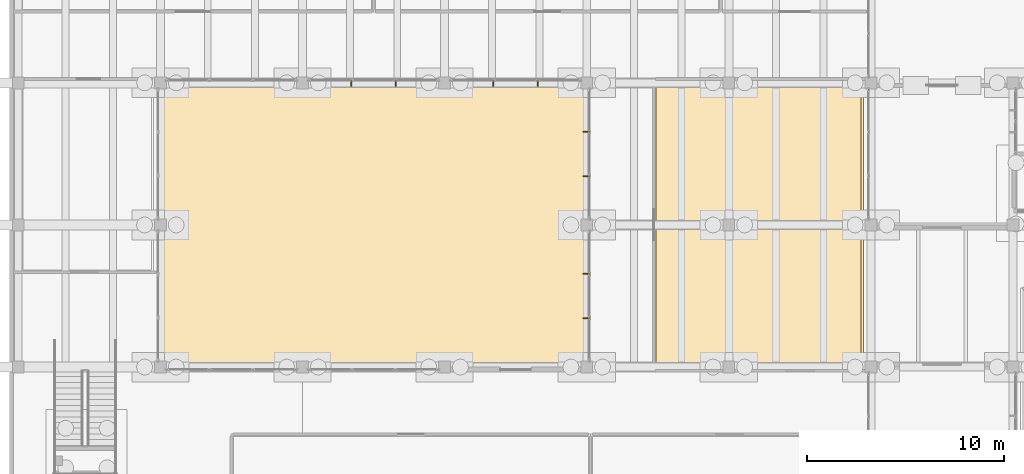
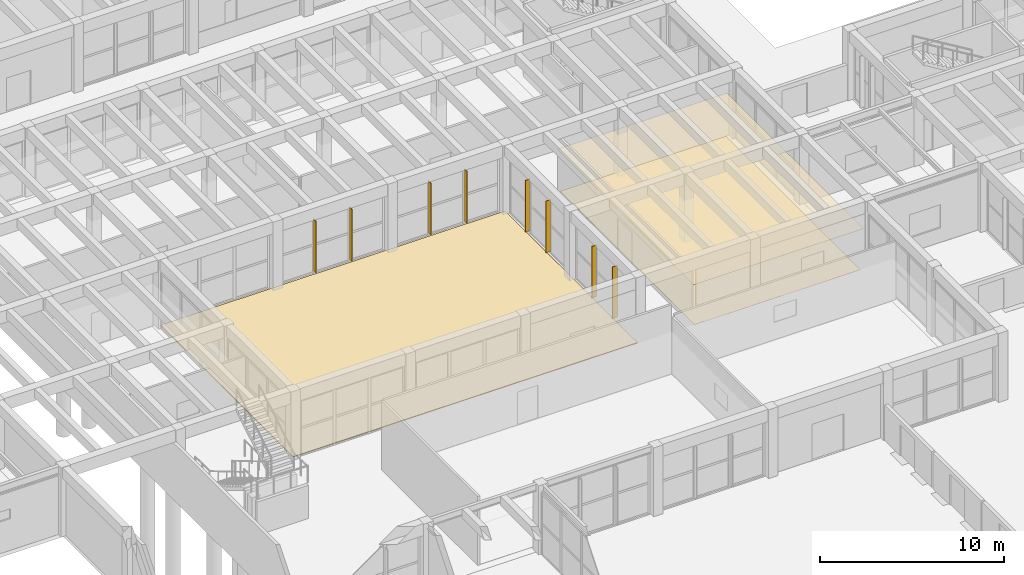
# One storey, part 140 of 155: 8 shading devices, 3 coverings.
"""IFC4 building model written with IfcOpenShell, lengths in metres."""

from ifc_helpers import new_model, si_unit, direction, frame, origin, origin_2d, place, context, subcontext, project, spatial, polyline, rectangle, outline, extrude, material, layer, layer_set, type_object, element, save


model = new_model("IFC4")

# Units and contexts
model_context = context("Model", 3, precision=1e-05, world=origin(), true_north=direction((0.0, 1.0)))
body_context = subcontext(model_context, "Body", "Model", "MODEL_VIEW")
ifc_project = project(units=[si_unit("LENGTHUNIT", "METRE"), si_unit("AREAUNIT", "SQUARE_METRE"), si_unit("VOLUMEUNIT", "CUBIC_METRE"), si_unit("PLANEANGLEUNIT", "RADIAN"), si_unit("MASSUNIT", "GRAM", prefix="KILO")], contexts=[model_context])

# Site, building, storey
site_placement = place(None, origin())
site = spatial("IfcSite", under=ifc_project, at=site_placement, CompositionType="ELEMENT")
building_placement = place(site_placement, origin())
building = spatial("IfcBuilding", under=site, at=building_placement, Name="Bramvelor Terrace Health Centre", CompositionType="ELEMENT")
storey_placement = place(building_placement, origin())
storey = spatial("IfcBuildingStorey", under=building, at=storey_placement, Name="L01", CompositionType="ELEMENT", Elevation=0.0)

# Coverings
ifc_material_1 = material(Name="Hygienic mineral-fibre acoustic ceiling", Category="gypsum")
ifc_layer_1 = layer(ifc_material_1, 0.02001953125)
ifc_layer_set_1 = layer_set([ifc_layer_1], Name="Hygienic mineral-fibre acoustic ceiling")
covering_type_1 = type_object("IfcCoveringType", Name="COV-CLG-ACT", PredefinedType="CEILING", material=ifc_layer_set_1)
covering_1_placement = place(storey_placement, frame((0.0, 0.0, 2.75)))
element("IfcCovering", 1, at=covering_1_placement, inside=storey, type_object=covering_type_1, Name="L01 Maternal Immunization Suite Acoustic Ceiling", PredefinedType="CEILING", context=body_context, shape_type="SweptSolid", body=[
    extrude(outline(polyline([(93.219970703125, 50.2099609375), (93.219970703125, 50.2080078125), (93.219482421875, 50.2060546875), (93.218994140625, 50.2041015625), (93.218505859375, 50.202392578125), (93.217529296875, 50.20068359375), (93.216552734375, 50.198974609375), (93.215576171875, 50.197265625), (93.214111328125, 50.19580078125), (93.212646484375, 50.194580078125), (93.211181640625, 50.193359375), (93.20947265625, 50.1923828125), (93.207763671875, 50.19140625), (93.205810546875, 50.19091796875), (93.203857421875, 50.1904296875), (93.201904296875, 50.190185546875), (93.199951171875, 50.18994140625), (82.60205078125, 50.18994140625), (82.60009765625, 50.190185546875), (82.59814453125, 50.1904296875), (82.59619140625, 50.19091796875), (82.59423828125, 50.19140625), (82.592529296875, 50.1923828125), (82.5908203125, 50.193359375), (82.58935546875, 50.194580078125), (82.587890625, 50.19580078125), (82.58642578125, 50.197265625), (82.58544921875, 50.198974609375), (82.58447265625, 50.20068359375), (82.58349609375, 50.202392578125), (82.5830078125, 50.2041015625), (82.58251953125, 50.2060546875), (82.58203125, 50.2080078125), (82.58203125, 50.2099609375), (82.58203125, 64.998046875), (82.58203125, 65.0), (82.58251953125, 65.001953125), (82.5830078125, 65.00390625), (82.58349609375, 65.005615234375), (82.58447265625, 65.00732421875), (82.58544921875, 65.009033203125), (82.58642578125, 65.0107421875), (82.587890625, 65.01220703125), (82.58935546875, 65.013427734375), (82.5908203125, 65.0146484375), (82.592529296875, 65.015625), (82.59423828125, 65.0166015625), (82.59619140625, 65.01708984375), (82.59814453125, 65.017578125), (82.60009765625, 65.017822265625), (82.60205078125, 65.01806640625), (93.199951171875, 65.01806640625), (93.201904296875, 65.017822265625), (93.203857421875, 65.017578125), (93.205810546875, 65.01708984375), (93.207763671875, 65.0166015625), (93.20947265625, 65.015625), (93.211181640625, 65.0146484375), (93.212646484375, 65.013427734375), (93.214111328125, 65.01220703125), (93.215576171875, 65.0107421875), (93.216552734375, 65.009033203125), (93.217529296875, 65.00732421875), (93.218505859375, 65.005615234375), (93.218994140625, 65.00390625), (93.219482421875, 65.001953125), (93.219970703125, 65.0), (93.219970703125, 64.998046875), (93.219970703125, 50.2099609375)])), origin(), (0.0, 0.0, 1.0), 0.02001953125),
])
ifc_material_2 = material(Name="Seamless antimicrobial clinical vinyl", Category="polymer")
ifc_layer_2 = layer(ifc_material_2, 0.008056640625)
ifc_layer_set_2 = layer_set([ifc_layer_2], Name="Seamless antimicrobial clinical vinyl")
covering_type_2 = type_object("IfcCoveringType", Name="COV-FLR-VNL", PredefinedType="FLOORING", material=ifc_layer_set_2)
covering_2_placement = place(storey_placement, origin())
element("IfcCovering", 2, at=covering_2_placement, inside=storey, type_object=covering_type_2, Name="L01 Maternal Immunization Suite Clinical Vinyl Flooring", PredefinedType="FLOORING", context=body_context, shape_type="SweptSolid", body=[
    extrude(outline(polyline([(93.10009765625, 50.31005859375), (82.701904296875, 50.31005859375), (82.701904296875, 64.89794921875), (93.10009765625, 64.89794921875), (93.10009765625, 50.31005859375)])), origin(), (0.0, 0.0, 1.0), 0.008056640625),
])
ifc_material_3 = material(Name="Flamed granite plaza paving", Category="masonry")
ifc_layer_3 = layer(ifc_material_3, 0.050048828125)
ifc_layer_set_3 = layer_set([ifc_layer_3], Name="Flamed granite plaza paving")
covering_type_3 = type_object("IfcCoveringType", Name="COV-PAV-GRAN", PredefinedType="USERDEFINED", material=ifc_layer_set_3)
covering_3_placement = place(storey_placement, frame((0.0, 0.0, -0.050048828125)))
element("IfcCovering", 3, at=covering_3_placement, inside=storey, type_object=covering_type_3, Name="Campus Granite Grade Apron 4", ObjectType="PAVING", PredefinedType="USERDEFINED", context=body_context, shape_type="SweptSolid", body=[
    extrude(outline(polyline([(57.610107421875, 50.409912109375), (57.610107421875, 64.7900390625), (79.18994140625, 64.7900390625), (79.18994140625, 50.409912109375), (57.610107421875, 50.409912109375)])), origin(), (0.0, 0.0, 1.0), 0.050048828125),
])

# Shading devices
ifc_material_4 = material(Name="Anodized aluminium 6063-T6", Category="aluminium")
ifc_layer_4 = layer(ifc_material_4, 0.050048828125)
ifc_layer_set_4 = layer_set([ifc_layer_4], Name="Anodized aluminium 6063-T6")
shading_device_type = type_object("IfcShadingDeviceType", Name="SHD-FIN-300", PredefinedType="JALOUSIE", material=ifc_layer_set_4)
for number, where, z_axis, x_axis, name in (
    (4, (79.179931640625, 52.876220703125, 0.150146484375), (0.0, 0.0, 1.0), (1.0, 0.0, 0.0), "L01 Solar Shading Louvre Fin 53"),
    (5, (79.179931640625, 55.123779296875, 0.150146484375), (0.0, 0.0, 1.0), (1.0, 0.0, 0.0), "L01 Solar Shading Louvre Fin 54"),
    (6, (79.179931640625, 60.076416015625, 0.150146484375), (0.0, 0.0, 1.0), (1.0, 0.0, 0.0), "L01 Solar Shading Louvre Fin 55"),
    (7, (79.179931640625, 62.32373046875, 0.150146484375), (0.0, 0.0, 1.0), (1.0, 0.0, 0.0), "L01 Solar Shading Louvre Fin 56"),
):
    element("IfcShadingDevice", number, at=place(storey_placement, frame(where, z_axis=z_axis, x_axis=x_axis)), inside=storey, type_object=shading_device_type, Name=name, PredefinedType="JALOUSIE", context=body_context, shape_type="SweptSolid", body=[
        extrude(rectangle(XDim=0.300048828125, YDim=0.050048828125, at=origin_2d()), origin(), (0.0, 0.0, 1.0), 3.419921875),
    ])
for number, where, z_axis, x_axis, name in (
    (8, (76.7236328125, 64.780029296875, 0.150146484375), (0.0, 0.0, 1.0), (1.0, 0.0, 0.0), "L01 Solar Shading Louvre Fin 57"),
    (9, (74.476318359375, 64.780029296875, 0.150146484375), (0.0, 0.0, 1.0), (1.0, 0.0, 0.0), "L01 Solar Shading Louvre Fin 58"),
    (10, (69.523681640625, 64.780029296875, 0.150146484375), (0.0, 0.0, 1.0), (1.0, 0.0, 0.0), "L01 Solar Shading Louvre Fin 59"),
    (11, (67.2763671875, 64.780029296875, 0.150146484375), (0.0, 0.0, 1.0), (1.0, 0.0, 0.0), "L01 Solar Shading Louvre Fin 60"),
):
    element("IfcShadingDevice", number, at=place(storey_placement, frame(where, z_axis=z_axis, x_axis=x_axis)), inside=storey, type_object=shading_device_type, Name=name, PredefinedType="JALOUSIE", context=body_context, shape_type="SweptSolid", body=[
        extrude(rectangle(XDim=0.050048828125, YDim=0.300048828125, at=origin_2d()), origin(), (0.0, 0.0, 1.0), 3.419921875),
    ])

save(model, "model.ifc")
